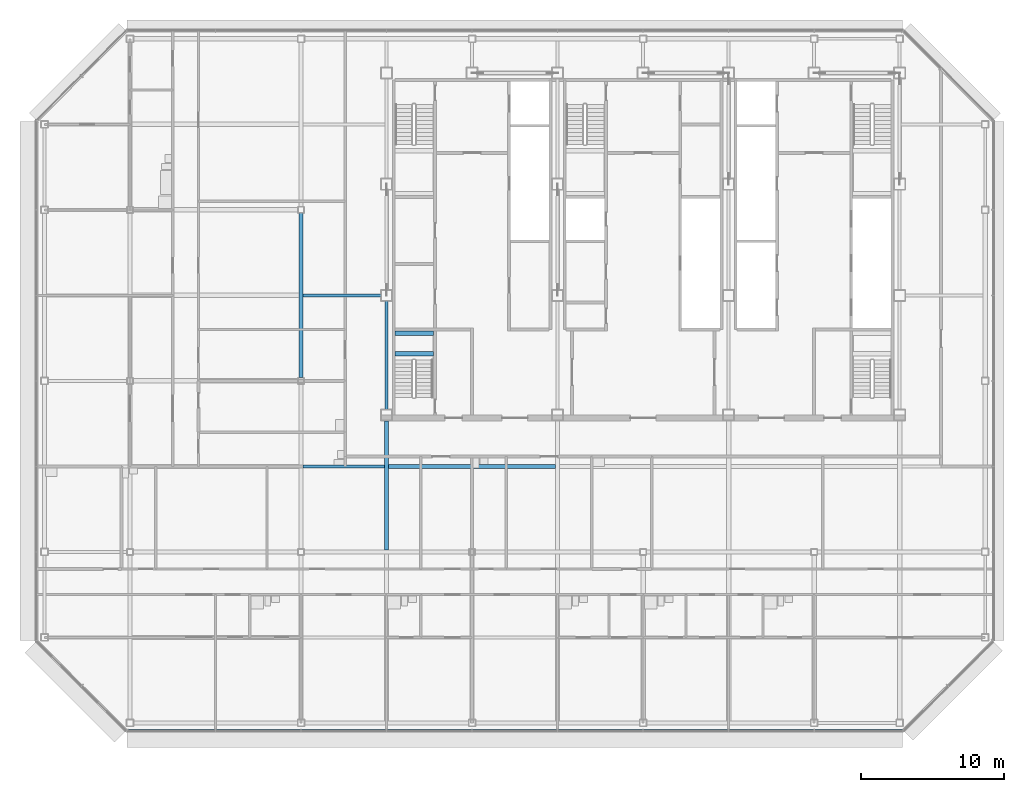
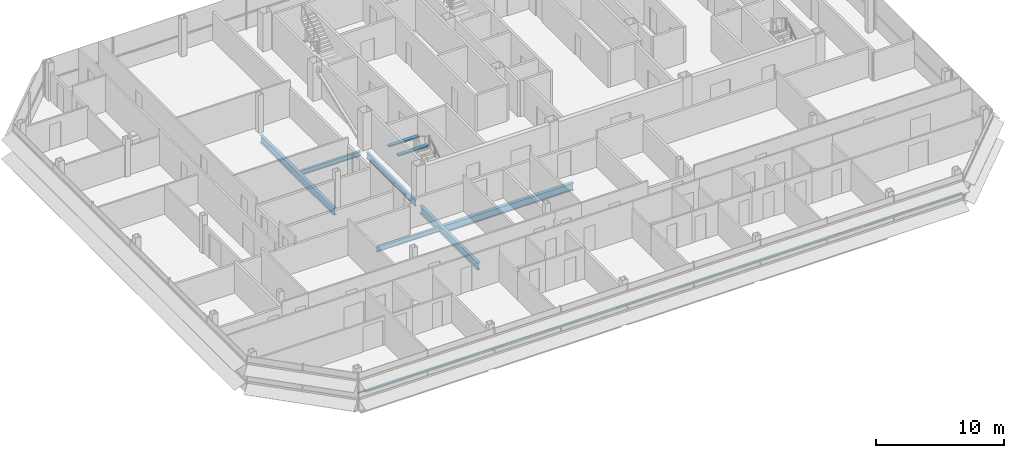
# One storey, part 9 of 28: 8 beams, 1 member, 1 element without a shape of its own.
"""IFC4 building model written with IfcOpenShell, lengths in metres."""

from ifc_helpers import new_model, si_unit, direction, frame, origin, origin_2d, place, context, subcontext, project, spatial, rectangle, i_section, extrude, material, material_profile, profile_set, type_object, element, aggregate, save


model = new_model("IFC4")

# Units and contexts
model_context = context("Model", 3, precision=1e-05, world=origin(), true_north=direction((0.0, 1.0)))
body_context = subcontext(model_context, "Body", "Model", "MODEL_VIEW")
ifc_project = project(units=[si_unit("LENGTHUNIT", "METRE"), si_unit("AREAUNIT", "SQUARE_METRE"), si_unit("VOLUMEUNIT", "CUBIC_METRE"), si_unit("PLANEANGLEUNIT", "RADIAN"), si_unit("MASSUNIT", "GRAM", prefix="KILO")], contexts=[model_context])

# Site, building, storey
site_placement = place(None, origin())
site = spatial("IfcSite", under=ifc_project, at=site_placement, CompositionType="ELEMENT")
building_placement = place(site_placement, origin())
building = spatial("IfcBuilding", under=site, at=building_placement, Name="Sorahane Residences", CompositionType="ELEMENT")
storey_placement = place(building_placement, frame((0.0, 0.0, 305.199951171875)))
storey = spatial("IfcBuildingStorey", under=building, at=storey_placement, Name="L72", CompositionType="ELEMENT", Elevation=305.199951171875)

# Curtain wall, member
ifc_material_1 = material(Name="Dark low-e glass and black anodised aluminium", Category="aluminium")
curtain_wall_type = type_object("IfcCurtainWallType", Name="Curtain wall CW-1 Typical unitised wall", PredefinedType="NOTDEFINED", material=ifc_material_1)
curtain_wall_placement = place(storey_placement, origin())
curtain_wall = element("IfcCurtainWall", 1, at=curtain_wall_placement, inside=storey, type_object=curtain_wall_type, Name="CW-1 curtain wall L72 S1", PredefinedType="NOTDEFINED")
ifc_material_2 = material(Name="Black anodised aluminium", Category="aluminium")
ifc_material_profile_1 = material_profile(ifc_material_2, rectangle(XDim=0.10009765625, YDim=0.06005859375, at=origin_2d()), Name="Curtain wall transom CW-1 black anodised aluminium 60x100")
ifc_profile_set_1 = profile_set([ifc_material_profile_1], Name="Black anodised aluminium")
member_type = type_object("IfcMemberType", Name="Curtain wall transom CW-1 black anodised aluminium 60x100", PredefinedType="USERDEFINED", material=ifc_profile_set_1)
member_placement = place(storey_placement, frame((-12.198486328125, -0.530029296875, 1.5), z_axis=(1.0, 0.0, 0.0), x_axis=(0.0, 1.0, 0.0)))
member = element("IfcMember", 2, at=member_placement, type_object=member_type, Name="CW-1 transom L72 S1", ObjectType="TRANSOM", PredefinedType="USERDEFINED", context=body_context, shape_type="SweptSolid", body=[
    extrude(rectangle(XDim=0.10009765625, YDim=0.06005859375, at=origin_2d()), origin(), (0.0, 0.0, 1.0), 54.39697265625),
])
aggregate(curtain_wall, [member])

# Beams
ifc_material_3 = material(Name="Concrete C40", Category="concrete")
ifc_material_profile_2 = material_profile(ifc_material_3, rectangle(XDim=0.300048828125, YDim=0.139892578125, at=origin_2d()), Name="300x140")
ifc_profile_set_2 = profile_set([ifc_material_profile_2], Name="Concrete C40")
beam_type_1 = type_object("IfcBeamType", Name="RC landing beam 300 x 140 Concrete C40", PredefinedType="BEAM", material=ifc_profile_set_2)
for number, where, z_axis, x_axis, name in (
    (3, (6.60009765625, 25.89990234375, 1.530029296875), (1.0, 0.0, 0.0), (0.0, 1.0, 0.0), "Landing beam"),
    (4, (6.60009765625, 27.35009765625, 1.530029296875), (1.0, 0.0, 0.0), (0.0, 1.0, 0.0), "Landing beam"),
):
    element("IfcBeam", number, at=place(storey_placement, frame(where, z_axis=z_axis, x_axis=x_axis)), inside=storey, type_object=beam_type_1, Name=name, PredefinedType="BEAM", context=body_context, shape_type="SweptSolid", body=[
        extrude(rectangle(XDim=0.300048828125, YDim=0.139892578125, at=origin_2d()), origin(), (0.0, 0.0, 1.0), 2.699951171875),
    ])
ifc_material_4 = material(Name="Steel Q355B", Category="steel")
ifc_material_profile_3 = material_profile(ifc_material_4, i_section(OverallWidth=0.199951171875, OverallDepth=0.449951171875, WebThickness=0.009033203125, FlangeThickness=0.013916015625, FilletRadius=0.02001953125, at=origin_2d()), Name="HN 450x200x9x14")
ifc_profile_set_3 = profile_set([ifc_material_profile_3], Name="Steel Q355B")
beam_type_2 = type_object("IfcBeamType", Name="Steel floor beam HN 450x200x9x14 Q355B", PredefinedType="BEAM", material=ifc_profile_set_3)
beam_1_placement = place(storey_placement, frame((0.14990234375, 18.0, -0.405029296875), z_axis=(1.0, 0.0, 0.0), x_axis=(0.0, 1.0, 0.0)))
element("IfcBeam", 5, at=beam_1_placement, inside=storey, type_object=beam_type_2, Name="Beam L72 078", PredefinedType="BEAM", context=body_context, shape_type="SweptSolid", body=[
    extrude(i_section(OverallWidth=0.199951171875, OverallDepth=0.449951171875, WebThickness=0.009033203125, FlangeThickness=0.013916015625, FilletRadius=0.02001953125, at=origin_2d()), origin(), (0.0, 0.0, 1.0), 5.7001953125),
])
beam_2_placement = place(storey_placement, frame((0.14990234375, 30.0, -0.405029296875), z_axis=(1.0, 0.0, 0.0), x_axis=(0.0, 1.0, 0.0)))
element("IfcBeam", 6, at=beam_2_placement, inside=storey, type_object=beam_type_2, Name="Beam L72 085", PredefinedType="BEAM", context=body_context, shape_type="SweptSolid", body=[
    extrude(i_section(OverallWidth=0.199951171875, OverallDepth=0.449951171875, WebThickness=0.009033203125, FlangeThickness=0.013916015625, FilletRadius=0.02001953125, at=origin_2d()), origin(), (0.0, 0.0, 1.0), 5.4501953125),
])
ifc_material_5 = material(Name="Steel Q355B", Category="steel")
ifc_material_profile_4 = material_profile(ifc_material_5, i_section(OverallWidth=0.199951171875, OverallDepth=0.60009765625, WebThickness=0.010986328125, FlangeThickness=0.01708984375, FilletRadius=0.02392578125, at=origin_2d()), Name="HN 600x200x11x17")
ifc_profile_set_4 = profile_set([ifc_material_profile_4], Name="Steel Q355B")
beam_type_3 = type_object("IfcBeamType", Name="Steel floor beam HN 600x200x11x17 Q355B", PredefinedType="BEAM", material=ifc_profile_set_4)
beam_3_placement = place(storey_placement, frame((6.0, 22.0, -0.47998046875), z_axis=(0.0, 1.0, 0.0), x_axis=(-1.0, 0.0, 0.0)))
element("IfcBeam", 7, at=beam_3_placement, inside=storey, type_object=beam_type_3, Name="Beam L72 034", PredefinedType="BEAM", context=body_context, shape_type="SweptSolid", body=[
    extrude(i_section(OverallWidth=0.199951171875, OverallDepth=0.60009765625, WebThickness=0.010986328125, FlangeThickness=0.01708984375, FilletRadius=0.02392578125, at=origin_2d()), origin(), (0.0, 0.0, 1.0), 7.60009765625),
])
ifc_material_6 = material(Name="Steel Q355B", Category="steel")
ifc_material_profile_5 = material_profile(ifc_material_6, i_section(OverallWidth=0.300048828125, OverallDepth=0.699951171875, WebThickness=0.012939453125, FlangeThickness=0.02392578125, FilletRadius=0.028076171875, at=origin_2d()), Name="HN 700x300x13x24")
ifc_profile_set_5 = profile_set([ifc_material_profile_5], Name="Steel Q355B")
beam_type_4 = type_object("IfcBeamType", Name="Steel floor beam HN 700x300x13x24 Q355B", PredefinedType="BEAM", material=ifc_profile_set_5)
beam_4_placement = place(storey_placement, frame((0.0, 24.22509765625, -0.530029296875), z_axis=(0.0, 1.0, 0.0), x_axis=(-1.0, 0.0, 0.0)))
element("IfcBeam", 8, at=beam_4_placement, inside=storey, type_object=beam_type_4, Name="Beam L72 030", PredefinedType="BEAM", context=body_context, shape_type="SweptSolid", body=[
    extrude(i_section(OverallWidth=0.300048828125, OverallDepth=0.699951171875, WebThickness=0.012939453125, FlangeThickness=0.02392578125, FilletRadius=0.028076171875, at=origin_2d()), origin(), (0.0, 0.0, 1.0), 11.5498046875),
])
beam_5_placement = place(storey_placement, frame((6.0, 12.14990234375, -0.530029296875), z_axis=(0.0, 1.0, 0.0), x_axis=(-1.0, 0.0, 0.0)))
element("IfcBeam", 9, at=beam_5_placement, inside=storey, type_object=beam_type_4, Name="Beam L72 033", PredefinedType="BEAM", context=body_context, shape_type="SweptSolid", body=[
    extrude(i_section(OverallWidth=0.300048828125, OverallDepth=0.699951171875, WebThickness=0.012939453125, FlangeThickness=0.02392578125, FilletRadius=0.028076171875, at=origin_2d()), origin(), (0.0, 0.0, 1.0), 9.050048828125),
])
beam_6_placement = place(storey_placement, frame((6.14990234375, 18.0, -0.530029296875), z_axis=(1.0, 0.0, 0.0), x_axis=(0.0, 1.0, 0.0)))
element("IfcBeam", 10, at=beam_6_placement, inside=storey, type_object=beam_type_4, Name="Beam L72 079", PredefinedType="BEAM", context=body_context, shape_type="SweptSolid", body=[
    extrude(i_section(OverallWidth=0.300048828125, OverallDepth=0.699951171875, WebThickness=0.012939453125, FlangeThickness=0.02392578125, FilletRadius=0.028076171875, at=origin_2d()), origin(), (0.0, 0.0, 1.0), 11.7001953125),
])

save(model, "model.ifc")
